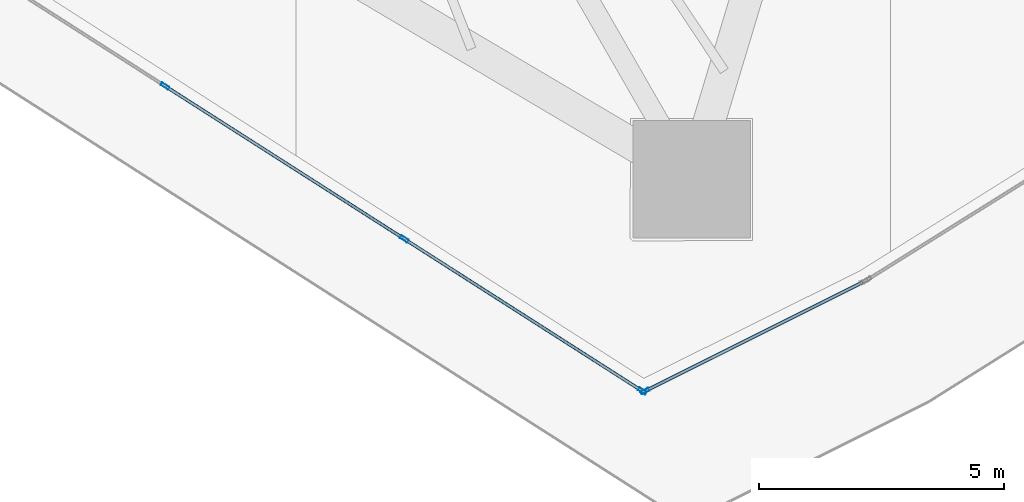
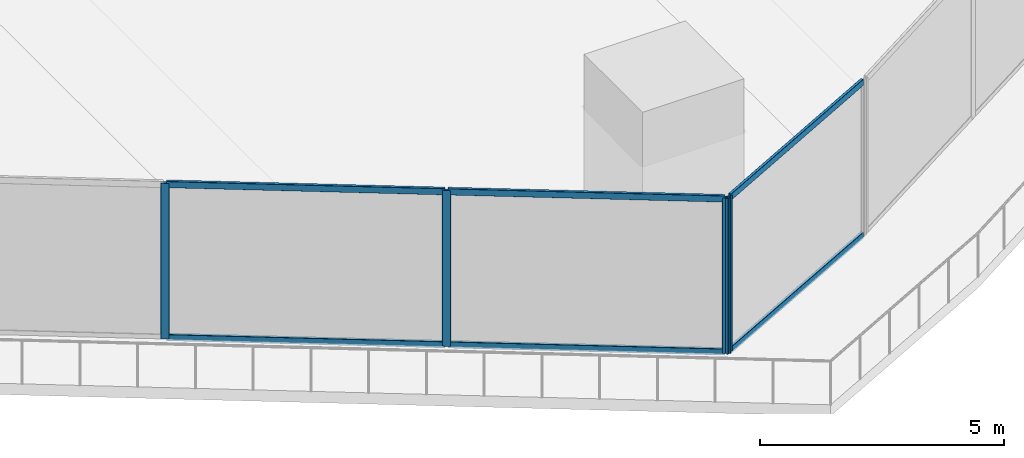
# One storey, part 7 of 45: 10 members, 2 elements without a shape of their own.
"""IFC4 building model written with IfcOpenShell, lengths in metres."""

import ifcopenshell
import ifcopenshell.guid

model = None  # the IFC model being written
_history = None  # IfcOwnerHistory: only IFC2X3 demands one
_inside = {}  # id of a spatial element -> (the spatial element, [elements in it])
_under = {}  # id of a project, library or spatial element -> (it, [spatial elements below it])
_declared = {}  # id of a project -> (the project, [libraries it declares])
_typed = {}  # id of a type object -> (the type object, [elements of that type])
_made_of = {}  # id of a material, layer set ... -> (it, [elements and type objects made of it])


def new_model(schema):
    """Start an empty IFC model of exactly this schema.

    Asked for "IFC4X3", IfcOpenShell would pick the latest addendum, in which some entities
    have other attributes; the version numbers below select the first issue.
    IFC2X3 requires an IfcOwnerHistory on every rooted entity: one is made here for all.
    """
    global model, _history
    if schema == "IFC4X3":
        model = ifcopenshell.file(schema_version=(4, 3, 0, 0))
    else:
        model = ifcopenshell.file(schema=schema)
    _inside.clear()
    _under.clear()
    _declared.clear()
    _typed.clear()
    _made_of.clear()
    _history = None
    if model.schema == "IFC2X3":
        org = make("IfcOrganization", Name="unknown")
        user = make(
            "IfcPersonAndOrganization",
            ThePerson=make("IfcPerson", FamilyName="unknown"),
            TheOrganization=org,
        )
        app = make(
            "IfcApplication",
            ApplicationDeveloper=org,
            Version="unknown",
            ApplicationFullName="unknown",
            ApplicationIdentifier="unknown",
        )
        _history = make(
            "IfcOwnerHistory",
            OwningUser=user,
            OwningApplication=app,
            ChangeAction="ADDED",
            CreationDate=0,
        )
    return model


def make(cls, **values):
    """One entity of the class cls with the attributes given. An attribute that is None is left unset."""
    return model.create_entity(
        cls, **{name: value for name, value in values.items() if value is not None}
    )


def rooted(cls, **values):
    """An entity with a GlobalId (a new one), such as an element, a storey or a relation."""
    return make(cls, GlobalId=ifcopenshell.guid.new(), OwnerHistory=_history, **values)


def si_unit(unit_type, name, prefix=None):
    """IfcSIUnit, for example si_unit("LENGTHUNIT", "METRE", prefix="MILLI")."""
    return make("IfcSIUnit", UnitType=unit_type, Prefix=prefix, Name=name)


def assignment(units):
    """IfcUnitAssignment: the units of a project."""
    return None if units is None else make("IfcUnitAssignment", Units=units)


def point(xyz):
    """IfcCartesianPoint."""
    return None if xyz is None else make("IfcCartesianPoint", Coordinates=xyz)


def direction(xyz):
    """IfcDirection."""
    return None if xyz is None else make("IfcDirection", DirectionRatios=xyz)


def frame(location, z_axis=None, x_axis=None):
    """IfcAxis2Placement3D, a coordinate frame: its origin and axes. An axis left out is left unset."""
    return make(
        "IfcAxis2Placement3D",
        Location=point(location),
        Axis=direction(z_axis),
        RefDirection=direction(x_axis),
    )


def frame_2d(location, x_axis=None):
    """IfcAxis2Placement2D, a coordinate frame in the plane: its origin and x axis."""
    return make(
        "IfcAxis2Placement2D", Location=point(location), RefDirection=direction(x_axis)
    )


def origin():
    """The frame at (0, 0, 0) with its axes left unset."""
    return frame((0.0, 0.0, 0.0))


def origin_2d():
    """The frame at (0, 0) in the plane with its x axis left unset."""
    return frame_2d((0.0, 0.0))


def place(relative_to, where):
    """IfcLocalPlacement: puts the frame where relative to a parent placement (None: the world)."""
    return make(
        "IfcLocalPlacement", PlacementRelTo=relative_to, RelativePlacement=where
    )


def context(
    kind, dimensions, precision=None, world=None, true_north=None, identifier=None
):
    """IfcGeometricRepresentationContext, for example the 3D "Model" context."""
    return make(
        "IfcGeometricRepresentationContext",
        ContextIdentifier=identifier,
        ContextType=kind,
        CoordinateSpaceDimension=dimensions,
        Precision=precision,
        WorldCoordinateSystem=world,
        TrueNorth=true_north,
    )


def subcontext(parent, identifier, kind, view, scale=None):
    """IfcGeometricRepresentationSubContext, for example "Body" below "Model"."""
    return make(
        "IfcGeometricRepresentationSubContext",
        ContextIdentifier=identifier,
        ContextType=kind,
        ParentContext=parent,
        TargetScale=scale,
        TargetView=view,
    )


def project(units=None, contexts=None):
    """IfcProject with its units and contexts."""
    return rooted(
        "IfcProject",
        Name="project",
        RepresentationContexts=contexts,
        UnitsInContext=assignment(units),
    )


def spatial(cls, under=None, at=None, **own):
    """A site, building, storey or space (cls), placed at a placement, below another one or the project."""
    s = rooted(cls, ObjectPlacement=at, **own)
    if under is not None:
        _under.setdefault(under.id(), (under, []))[1].append(s)
    return s


def profile(cls, at=None, kind="AREA", **sizes):
    """A parametric profile (cls). Its sizes go by their IFC names, for example OverallWidth=200.0."""
    return make(cls, ProfileType=kind, Position=at, **sizes)


def hollow_rectangle(**sizes):
    """IfcRectangleHollowProfileDef."""
    return profile("IfcRectangleHollowProfileDef", **sizes)


def extrude(swept, where, along, depth):
    """IfcExtrudedAreaSolid: the profile swept, set in the frame where, extruded along a direction by depth."""
    return make(
        "IfcExtrudedAreaSolid",
        SweptArea=swept,
        Position=where,
        ExtrudedDirection=direction(along),
        Depth=depth,
    )


def shape(context_of_items, identifier, shape_type, items):
    """IfcShapeRepresentation: the items that make up one representation, for example the "Body"."""
    return make(
        "IfcShapeRepresentation",
        ContextOfItems=context_of_items,
        RepresentationIdentifier=identifier,
        RepresentationType=shape_type,
        Items=items,
    )


def material(Name=None, Category=None):
    """IfcMaterial."""
    return make("IfcMaterial", Name=Name, Category=Category)


def layer(
    of_material, thickness, ventilated=None, Name=None, Category=None, Priority=None
):
    """IfcMaterialLayer: one layer of a wall or slab, of a material (None: an air gap)."""
    return make(
        "IfcMaterialLayer",
        Material=of_material,
        LayerThickness=thickness,
        IsVentilated=ventilated,
        Name=Name,
        Category=Category,
        Priority=Priority,
    )


def layer_set(layers, Name=None):
    """IfcMaterialLayerSet."""
    return make("IfcMaterialLayerSet", MaterialLayers=layers, LayerSetName=Name)


def material_profile(
    of_material, cross_section, Name=None, Category=None, Priority=None
):
    """IfcMaterialProfile: a cross section and its material."""
    return make(
        "IfcMaterialProfile",
        Name=Name,
        Material=of_material,
        Profile=cross_section,
        Priority=Priority,
        Category=Category,
    )


def profile_set(profiles, Name=None, composite=None):
    """IfcMaterialProfileSet."""
    return make(
        "IfcMaterialProfileSet",
        Name=Name,
        MaterialProfiles=profiles,
        CompositeProfile=composite,
    )


def made_of(thing, what):
    """Note that an element or type object is made of a material, layer set ...; save() writes the relation."""
    if what is not None:
        _made_of.setdefault(what.id(), (what, []))[1].append(thing)
    return thing


def type_object(cls, material=None, **own):
    """A type object (cls), such as IfcWallType, which elements share."""
    return made_of(rooted(cls, **own), material)


def element(
    cls,
    number,
    at=None,
    inside=None,
    cuts=None,
    type_object=None,
    material=None,
    context=None,
    identifier="Body",
    shape_type=None,
    held_by="IfcProductDefinitionShape",
    body=None,
    shapes=None,
    **own,
):
    """One element of the class cls, such as IfcWall. Its Tag is "e" and its number.

    at: its placement. inside: the storey or other place that contains it. cuts: it is an
    opening in that element (IfcRelVoidsElement). A single representation is given by context,
    identifier, shape_type and body (its items); several are given by shapes. held_by: the class
    of the entity that holds the representations. save() writes the other relations.
    """
    e = rooted(cls, Tag="e%d" % number, ObjectPlacement=at, **own)
    if body is not None:
        shapes = [shape(context, identifier, shape_type, body)]
    if shapes is not None:
        e.Representation = make(held_by, Representations=shapes)
    if inside is not None:
        _inside.setdefault(inside.id(), (inside, []))[1].append(e)
    if cuts is not None:
        rooted(
            "IfcRelVoidsElement", RelatingBuildingElement=cuts, RelatedOpeningElement=e
        )
    if type_object is not None:
        _typed.setdefault(type_object.id(), (type_object, []))[1].append(e)
    return made_of(e, material)


def aggregate(whole, parts):
    """IfcRelAggregates: a whole, such as a stair, and the parts it consists of."""
    return rooted("IfcRelAggregates", RelatingObject=whole, RelatedObjects=parts)


def save(model, path):
    """Write the relations noted so far, then the file.

    IfcRelAggregates (storeys below a building ...), IfcRelContainedInSpatialStructure (elements
    in a storey), IfcRelDefinesByType, IfcRelAssociatesMaterial and IfcRelDeclares: one each for
    every whole, place, type object, material and project.
    """
    for whole, parts in _under.values():
        aggregate(whole, parts)
    for where, things in _inside.values():
        rooted(
            "IfcRelContainedInSpatialStructure",
            RelatedElements=things,
            RelatingStructure=where,
        )
    for kind, things in _typed.values():
        rooted("IfcRelDefinesByType", RelatedObjects=things, RelatingType=kind)
    for what, things in _made_of.values():
        rooted("IfcRelAssociatesMaterial", RelatedObjects=things, RelatingMaterial=what)
    for by, libraries in _declared.values():
        rooted("IfcRelDeclares", RelatingContext=by, RelatedDefinitions=libraries)
    model.write(path)


model = new_model("IFC4")

# Units and contexts
model_context = context("Model", 3, precision=1e-05, world=origin(), true_north=direction((0.0, 1.0)))
body_context = subcontext(model_context, "Body", "Model", "MODEL_VIEW")
ifc_project = project(units=[si_unit("LENGTHUNIT", "METRE"), si_unit("AREAUNIT", "SQUARE_METRE"), si_unit("VOLUMEUNIT", "CUBIC_METRE"), si_unit("PLANEANGLEUNIT", "RADIAN"), si_unit("MASSUNIT", "GRAM", prefix="KILO")], contexts=[model_context])

# Site, building, storey
site_placement = place(None, origin())
site = spatial("IfcSite", under=ifc_project, at=site_placement, CompositionType="ELEMENT")
building_placement = place(site_placement, origin())
building = spatial("IfcBuilding", under=site, at=building_placement, Name="Qorvath Tower", CompositionType="ELEMENT")
storey_placement = place(building_placement, frame((0.0, 0.0, 95.39990234375)))
storey = spatial("IfcBuildingStorey", under=building, at=storey_placement, Name="L21", CompositionType="ELEMENT", Elevation=95.39990234375)

# Curtain wall, members
ifc_material_1 = material(Name="Anodised aluminium and triple low-E glass", Category="aluminium")
ifc_layer = layer(ifc_material_1, 0.179931640625)
ifc_layer_set = layer_set([ifc_layer], Name="CW-SYS-2")
curtain_wall_type = type_object("IfcCurtainWallType", Name="CW-SYS-2", PredefinedType="NOTDEFINED", material=ifc_layer_set)
curtain_wall_1_placement = place(storey_placement, origin())
curtain_wall_1 = element("IfcCurtainWall", 1, at=curtain_wall_1_placement, inside=storey, type_object=curtain_wall_type, Name="Curtain Wall CW-2 CW-T-L21-2.2", PredefinedType="NOTDEFINED")
ifc_material_2 = material(Name="Anodised aluminium 6063-T6", Category="aluminium")
ifc_material_profile_1 = material_profile(ifc_material_2, hollow_rectangle(XDim=0.06494140625, YDim=0.179931640625, WallThickness=0.00341796875, InnerFilletRadius=0.00341796875, OuterFilletRadius=0.007080078125, at=origin_2d()), Name="CWM 180x65")
ifc_profile_set_1 = profile_set([ifc_material_profile_1], Name="Anodised aluminium 6063-T6")
member_type_1 = type_object("IfcMemberType", Name="CWM-180", PredefinedType="MULLION", material=ifc_profile_set_1)
member_1_placement = place(storey_placement, frame((-25.19580078125, -25.430908203125, 0.0), z_axis=(0.0, 0.0, 1.0), x_axis=(0.538538603445, 0.842600838238, 0.0)))
member_1 = element("IfcMember", 2, at=member_1_placement, type_object=member_type_1, Name="CW-2 mullion 3", PredefinedType="MULLION", context=body_context, shape_type="SweptSolid", body=[
    extrude(hollow_rectangle(XDim=0.06494140625, YDim=0.179931640625, WallThickness=0.00341796875, InnerFilletRadius=0.00341796875, OuterFilletRadius=0.007080078125, at=origin_2d()), origin(), (0.0, 0.0, 1.0), 3.900146484375),
])
member_2_placement = place(storey_placement, frame((-20.32080078125, -28.546630859375, 0.0), z_axis=(0.0, 0.0, 1.0), x_axis=(0.538538603445, 0.842600838238, 0.0)))
member_2 = element("IfcMember", 3, at=member_2_placement, type_object=member_type_1, Name="CW-2 mullion 4", PredefinedType="MULLION", context=body_context, shape_type="SweptSolid", body=[
    extrude(hollow_rectangle(XDim=0.06494140625, YDim=0.179931640625, WallThickness=0.00341796875, InnerFilletRadius=0.00341796875, OuterFilletRadius=0.007080078125, at=origin_2d()), origin(), (0.0, 0.0, 1.0), 3.900146484375),
])
member_3_placement = place(storey_placement, frame((-15.47314453125, -31.64501953125, 0.0), z_axis=(0.0, 0.0, 1.0), x_axis=(0.538538603445, 0.842600838238, 0.0)))
member_3 = element("IfcMember", 4, at=member_3_placement, type_object=member_type_1, Name="CW-2 mullion 5", PredefinedType="MULLION", context=body_context, shape_type="SweptSolid", body=[
    extrude(hollow_rectangle(XDim=0.06494140625, YDim=0.179931640625, WallThickness=0.00341796875, InnerFilletRadius=0.00341796875, OuterFilletRadius=0.007080078125, at=origin_2d()), origin(), (0.0, 0.0, 1.0), 3.900146484375),
])

# Curtain wall, member
curtain_wall_2_placement = place(storey_placement, origin())
curtain_wall_2 = element("IfcCurtainWall", 5, at=curtain_wall_2_placement, inside=storey, type_object=curtain_wall_type, Name="Curtain Wall CW-2 CW-T-L21-3.1", PredefinedType="NOTDEFINED")
member_4_placement = place(storey_placement, frame((-15.416748046875, -31.64794921875, 0.0), z_axis=(0.0, 0.0, 1.0), x_axis=(-0.447245233408, 0.894411371347, 0.0)))
member_4 = element("IfcMember", 6, at=member_4_placement, type_object=member_type_1, Name="CW-2 mullion 1", PredefinedType="MULLION", context=body_context, shape_type="SweptSolid", body=[
    extrude(hollow_rectangle(XDim=0.06494140625, YDim=0.179931640625, WallThickness=0.00341796875, InnerFilletRadius=0.00341796875, OuterFilletRadius=0.007080078125, at=origin_2d()), origin(), (0.0, 0.0, 1.0), 3.900146484375),
])

# Member
ifc_material_3 = material(Name="Anodised aluminium 6063-T6", Category="aluminium")
ifc_material_profile_2 = material_profile(ifc_material_3, hollow_rectangle(XDim=0.06494140625, YDim=0.159912109375, WallThickness=0.00341796875, InnerFilletRadius=0.00341796875, OuterFilletRadius=0.007080078125, at=origin_2d()), Name="CWT 160x65")
ifc_profile_set_2 = profile_set([ifc_material_profile_2], Name="Anodised aluminium 6063-T6")
member_type_2 = type_object("IfcMemberType", Name="CWT-160", PredefinedType="USERDEFINED", material=ifc_profile_set_2)
member_5_placement = place(storey_placement, frame((-25.16845703125, -25.4482421875, 0.032470703125), z_axis=(0.842603738869, -0.538534065072, 0.0), x_axis=(0.538534065072, 0.842603738869, 0.0)))
member_5 = element("IfcMember", 7, at=member_5_placement, type_object=member_type_2, Name="CW-2 transom 3.1", ObjectType="TRANSOM", PredefinedType="USERDEFINED", context=body_context, shape_type="SweptSolid", body=[
    extrude(hollow_rectangle(XDim=0.06494140625, YDim=0.159912109375, WallThickness=0.00341796875, InnerFilletRadius=0.00341796875, OuterFilletRadius=0.007080078125, at=origin_2d()), origin(), (0.0, 0.0, 1.0), 5.720703125),
])

member_6_placement = place(storey_placement, frame((-25.16845703125, -25.4482421875, 3.86767578125), z_axis=(0.842603738869, -0.538534065072, 0.0), x_axis=(0.538534065072, 0.842603738869, 0.0)))
member_6 = element("IfcMember", 8, at=member_6_placement, type_object=member_type_2, Name="CW-2 transom 3.2", ObjectType="TRANSOM", PredefinedType="USERDEFINED", context=body_context, shape_type="SweptSolid", body=[
    extrude(hollow_rectangle(XDim=0.06494140625, YDim=0.159912109375, WallThickness=0.00341796875, InnerFilletRadius=0.00341796875, OuterFilletRadius=0.007080078125, at=origin_2d()), origin(), (0.0, 0.0, 1.0), 5.720703125),
])

member_7_placement = place(storey_placement, frame((-20.29345703125, -28.564208984375, 0.032470703125), z_axis=(0.842611866922, -0.538521347508, 0.0), x_axis=(0.538521347508, 0.842611866922, 0.0)))
member_7 = element("IfcMember", 9, at=member_7_placement, type_object=member_type_2, Name="CW-2 transom 4.1", ObjectType="TRANSOM", PredefinedType="USERDEFINED", context=body_context, shape_type="SweptSolid", body=[
    extrude(hollow_rectangle(XDim=0.06494140625, YDim=0.159912109375, WallThickness=0.00341796875, InnerFilletRadius=0.00341796875, OuterFilletRadius=0.007080078125, at=origin_2d()), origin(), (0.0, 0.0, 1.0), 5.688232421875),
])

member_8_placement = place(storey_placement, frame((-20.29345703125, -28.564208984375, 3.86767578125), z_axis=(0.842611866922, -0.538521347508, 0.0), x_axis=(0.538521347508, 0.842611866922, 0.0)))
member_8 = element("IfcMember", 10, at=member_8_placement, type_object=member_type_2, Name="CW-2 transom 4.2", ObjectType="TRANSOM", PredefinedType="USERDEFINED", context=body_context, shape_type="SweptSolid", body=[
    extrude(hollow_rectangle(XDim=0.06494140625, YDim=0.159912109375, WallThickness=0.00341796875, InnerFilletRadius=0.00341796875, OuterFilletRadius=0.007080078125, at=origin_2d()), origin(), (0.0, 0.0, 1.0), 5.688232421875),
])

aggregate(curtain_wall_1, [member_1, member_2, member_3, member_5, member_6, member_7, member_8])

member_9_placement = place(storey_placement, frame((-15.3876953125, -31.63330078125, 0.032470703125), z_axis=(0.894417280889, 0.447233415174, 0.0), x_axis=(-0.447233415174, 0.894417280889, 0.0)))
member_9 = element("IfcMember", 11, at=member_9_placement, type_object=member_type_2, Name="CW-2 transom 1.1", ObjectType="TRANSOM", PredefinedType="USERDEFINED", context=body_context, shape_type="SweptSolid", body=[
    extrude(hollow_rectangle(XDim=0.06494140625, YDim=0.159912109375, WallThickness=0.00341796875, InnerFilletRadius=0.00341796875, OuterFilletRadius=0.007080078125, at=origin_2d()), origin(), (0.0, 0.0, 1.0), 4.92724609375),
])

member_10_placement = place(storey_placement, frame((-15.3876953125, -31.63330078125, 3.86767578125), z_axis=(0.894417280889, 0.447233415174, 0.0), x_axis=(-0.447233415174, 0.894417280889, 0.0)))
member_10 = element("IfcMember", 12, at=member_10_placement, type_object=member_type_2, Name="CW-2 transom 1.2", ObjectType="TRANSOM", PredefinedType="USERDEFINED", context=body_context, shape_type="SweptSolid", body=[
    extrude(hollow_rectangle(XDim=0.06494140625, YDim=0.159912109375, WallThickness=0.00341796875, InnerFilletRadius=0.00341796875, OuterFilletRadius=0.007080078125, at=origin_2d()), origin(), (0.0, 0.0, 1.0), 4.92724609375),
])

aggregate(curtain_wall_2, [member_4, member_9, member_10])

save(model, "model.ifc")
